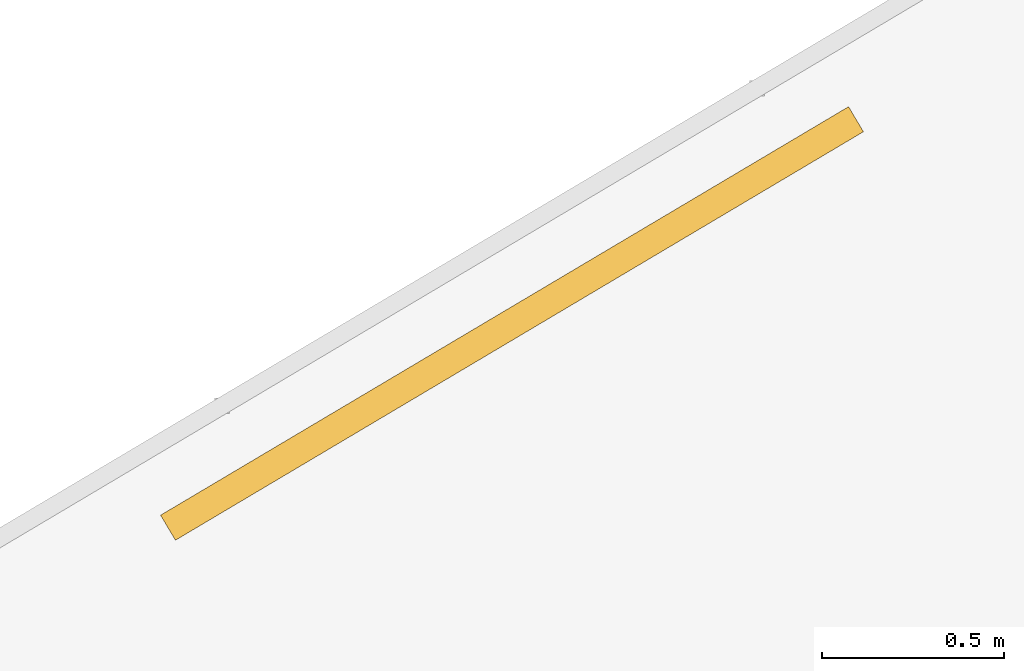
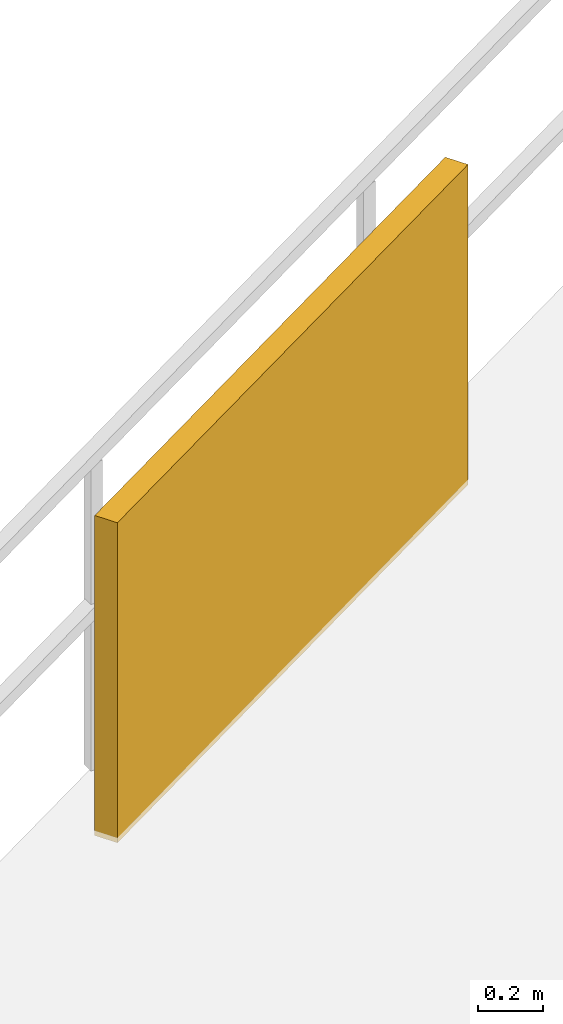
# One storey, part 28 of 29: 1 shading device.
"""IFC4 building model written with IfcOpenShell, lengths in metres."""

from ifc_helpers import new_model, si_unit, direction, frame, origin, origin_2d, place, context, subcontext, project, spatial, rectangle, extrude, material, type_object, element, save


model = new_model("IFC4")

# Units and contexts
model_context = context("Model", 3, precision=1e-05, world=origin(), true_north=direction((0.0, 1.0)))
body_context = subcontext(model_context, "Body", "Model", "MODEL_VIEW")
ifc_project = project(units=[si_unit("LENGTHUNIT", "METRE"), si_unit("AREAUNIT", "SQUARE_METRE"), si_unit("VOLUMEUNIT", "CUBIC_METRE"), si_unit("PLANEANGLEUNIT", "RADIAN"), si_unit("MASSUNIT", "GRAM", prefix="KILO")], contexts=[model_context])

# Site, building, storey
site_placement = place(None, origin())
site = spatial("IfcSite", under=ifc_project, at=site_placement, CompositionType="ELEMENT")
building_placement = place(site_placement, origin())
building = spatial("IfcBuilding", under=site, at=building_placement, Name="Vorneva Point Tower", CompositionType="ELEMENT")
storey_placement = place(building_placement, frame((0.0, 0.0, 259.10009765625)))
storey = spatial("IfcBuildingStorey", under=building, at=storey_placement, Name="L70", CompositionType="ELEMENT", Elevation=259.10009765625)

# Shading device
ifc_material = material(Name="Pale anodised aluminium", Category="aluminium")
shading_device_type = type_object("IfcShadingDeviceType", Name="SHD-JAL-1200", PredefinedType="JALOUSIE", material=ifc_material)
shading_device_placement = place(storey_placement, frame((20.15966796875, 43.162841796875, -0.02001953125), z_axis=(0.0, 0.0, 1.0), x_axis=(-0.859861182121, -0.510527910581, 0.0)))
element("IfcShadingDevice", 1, at=shading_device_placement, inside=storey, type_object=shading_device_type, Name="L70 Balcony Vertical-Greenery Planter Screen NW.2", PredefinedType="JALOUSIE", context=body_context, shape_type="SweptSolid", body=[
    extrude(rectangle(XDim=2.199951171875, YDim=0.080078125, at=origin_2d()), origin(), (0.0, 0.0, 1.0), 1.199951171875),
])

save(model, "model.ifc")
